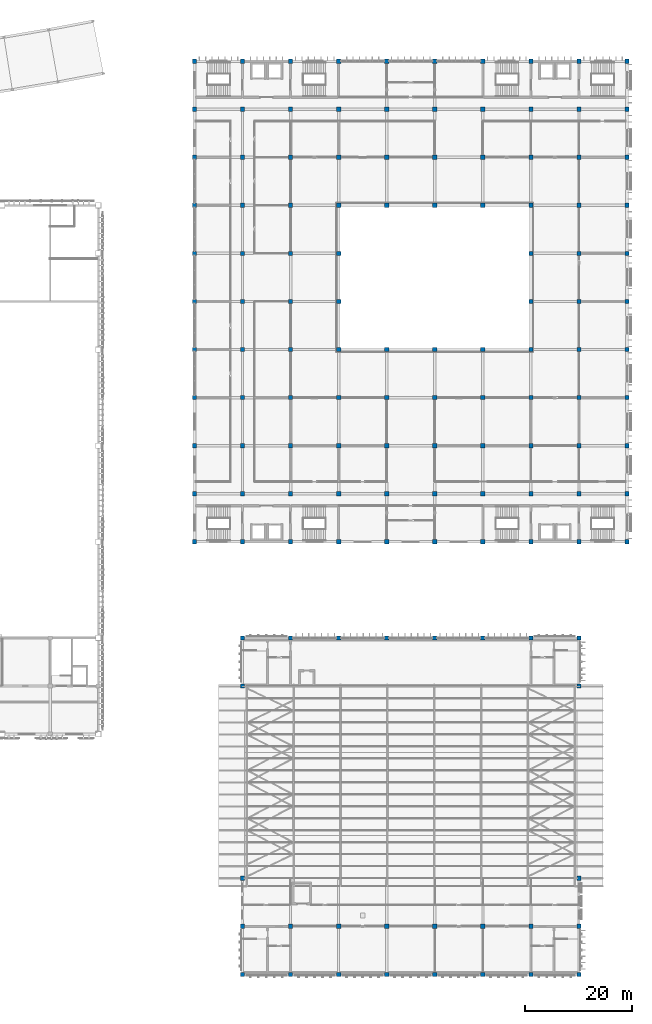
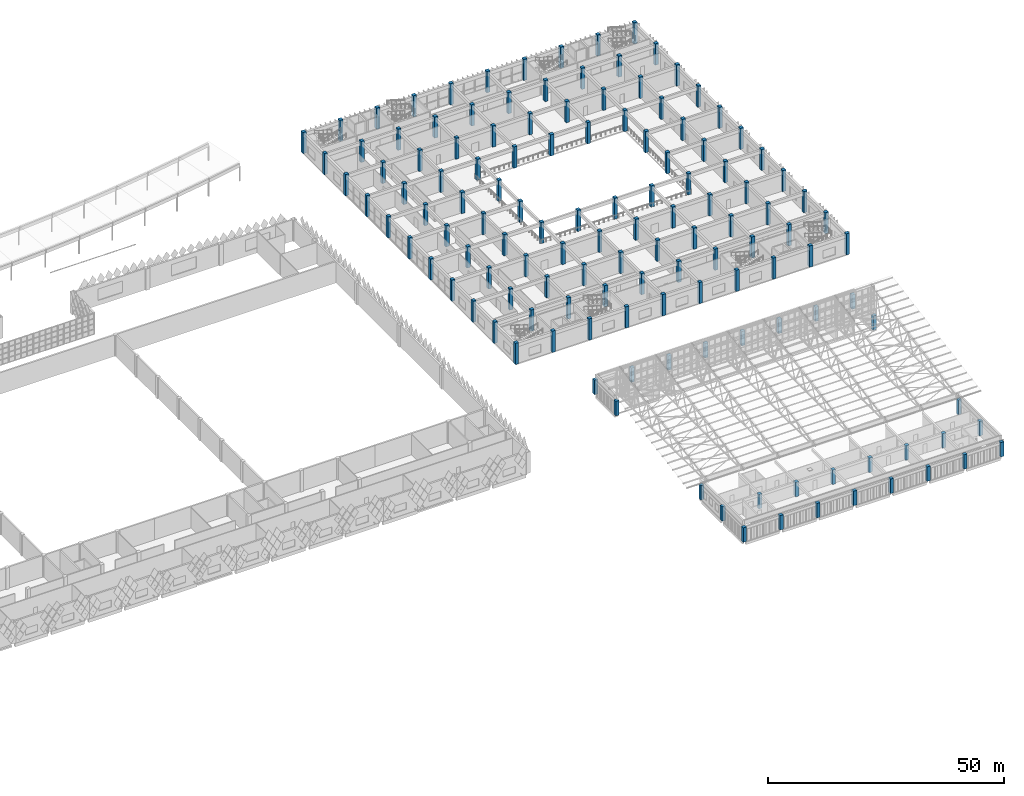
# One storey, part 15 of 185: 132 columns.
"""IFC4 building model written with IfcOpenShell, lengths in metres."""

from ifc_helpers import new_model, si_unit, direction, frame, origin, origin_2d, place, context, subcontext, project, spatial, rectangle, extrude, material, material_profile, profile_set, type_object, element, save


model = new_model("IFC4")

# Units and contexts
model_context = context("Model", 3, precision=1e-05, world=origin(), true_north=direction((0.0, 1.0)))
body_context = subcontext(model_context, "Body", "Model", "MODEL_VIEW")
ifc_project = project(units=[si_unit("LENGTHUNIT", "METRE"), si_unit("AREAUNIT", "SQUARE_METRE"), si_unit("VOLUMEUNIT", "CUBIC_METRE"), si_unit("PLANEANGLEUNIT", "RADIAN"), si_unit("MASSUNIT", "GRAM", prefix="KILO")], contexts=[model_context])

# Site, building, storey
site_placement = place(None, origin())
site = spatial("IfcSite", under=ifc_project, at=site_placement, CompositionType="ELEMENT")
building_placement = place(site_placement, origin())
building = spatial("IfcBuilding", under=site, at=building_placement, Name="Opaline Strait Convention Centre", CompositionType="ELEMENT")
storey_placement = place(building_placement, frame((0.0, 0.0, 6.0)))
storey = spatial("IfcBuildingStorey", under=building, at=storey_placement, Name="L01", CompositionType="ELEMENT", Elevation=6.0)

# Columns
ifc_material = material(Name="Concrete C40", Category="concrete")
ifc_material_profile = material_profile(ifc_material, rectangle(XDim=0.800048828125, YDim=0.800048828125, at=origin_2d()), Name="RC 800x800")
ifc_profile_set = profile_set([ifc_material_profile], Name="Concrete C40")
column_type = type_object("IfcColumnType", Name="RC column 800x800 C40", PredefinedType="COLUMN", material=ifc_profile_set)
for number, where, z_axis, x_axis, name in (
    (1, (288.0, 9.0, 0.0), (0.0, 0.0, 1.0), (1.0, 0.0, 0.0), "XC2 L01 at 33/B"),
    (2, (297.0, 9.0, 0.0), (0.0, 0.0, 1.0), (1.0, 0.0, 0.0), "XC2 L01 at 34/B"),
    (3, (306.0, 9.0, 0.0), (0.0, 0.0, 1.0), (1.0, 0.0, 0.0), "XC2 L01 at 35/B"),
    (4, (315.0, 9.0, 0.0), (0.0, 0.0, 1.0), (1.0, 0.0, 0.0), "XC2 L01 at 36/B"),
    (5, (324.0, 9.0, 0.0), (0.0, 0.0, 1.0), (1.0, 0.0, 0.0), "XC2 L01 at 37/B"),
    (6, (333.0, 9.0, 0.0), (0.0, 0.0, 1.0), (1.0, 0.0, 0.0), "XC2 L01 at 38/B"),
    (7, (342.0, 9.0, 0.0), (0.0, 0.0, 1.0), (1.0, 0.0, 0.0), "XC2 L01 at 39/B"),
    (8, (351.0, 9.0, 0.0), (0.0, 0.0, 1.0), (1.0, 0.0, 0.0), "XC2 L01 at 40/B"),
    (9, (288.0, 18.0, 0.0), (0.0, 0.0, 1.0), (1.0, 0.0, 0.0), "XC2 L01 at 33/C"),
    (10, (297.0, 18.0, 0.0), (0.0, 0.0, 1.0), (1.0, 0.0, 0.0), "XC2 L01 at 34/C"),
    (11, (306.0, 18.0, 0.0), (0.0, 0.0, 1.0), (1.0, 0.0, 0.0), "XC2 L01 at 35/C"),
    (12, (315.0, 18.0, 0.0), (0.0, 0.0, 1.0), (1.0, 0.0, 0.0), "XC2 L01 at 36/C"),
    (13, (324.0, 18.0, 0.0), (0.0, 0.0, 1.0), (1.0, 0.0, 0.0), "XC2 L01 at 37/C"),
    (14, (333.0, 18.0, 0.0), (0.0, 0.0, 1.0), (1.0, 0.0, 0.0), "XC2 L01 at 38/C"),
    (15, (342.0, 18.0, 0.0), (0.0, 0.0, 1.0), (1.0, 0.0, 0.0), "XC2 L01 at 39/C"),
    (16, (351.0, 18.0, 0.0), (0.0, 0.0, 1.0), (1.0, 0.0, 0.0), "XC2 L01 at 40/C"),
    (17, (288.0, 27.0, 0.0), (0.0, 0.0, 1.0), (1.0, 0.0, 0.0), "XC2 L01 at 33/D"),
    (18, (351.0, 27.0, 0.0), (0.0, 0.0, 1.0), (1.0, 0.0, 0.0), "XC2 L01 at 40/D"),
    (19, (288.0, 63.0, 0.0), (0.0, 0.0, 1.0), (1.0, 0.0, 0.0), "XC2 L01 at 33/H"),
    (20, (351.0, 63.0, 0.0), (0.0, 0.0, 1.0), (1.0, 0.0, 0.0), "XC2 L01 at 40/H"),
    (21, (288.0, 72.0, 0.0), (0.0, 0.0, 1.0), (1.0, 0.0, 0.0), "XC2 L01 at 33/J"),
    (22, (297.0, 72.0, 0.0), (0.0, 0.0, 1.0), (1.0, 0.0, 0.0), "XC2 L01 at 34/J"),
    (23, (306.0, 72.0, 0.0), (0.0, 0.0, 1.0), (1.0, 0.0, 0.0), "XC2 L01 at 35/J"),
    (24, (315.0, 72.0, 0.0), (0.0, 0.0, 1.0), (1.0, 0.0, 0.0), "XC2 L01 at 36/J"),
    (25, (324.0, 72.0, 0.0), (0.0, 0.0, 1.0), (1.0, 0.0, 0.0), "XC2 L01 at 37/J"),
    (26, (333.0, 72.0, 0.0), (0.0, 0.0, 1.0), (1.0, 0.0, 0.0), "XC2 L01 at 38/J"),
    (27, (342.0, 72.0, 0.0), (0.0, 0.0, 1.0), (1.0, 0.0, 0.0), "XC2 L01 at 39/J"),
    (28, (351.0, 72.0, 0.0), (0.0, 0.0, 1.0), (1.0, 0.0, 0.0), "XC2 L01 at 40/J"),
):
    element("IfcColumn", number, at=place(storey_placement, frame(where, z_axis=z_axis, x_axis=x_axis)), inside=storey, type_object=column_type, Name=name, PredefinedType="COLUMN", context=body_context, shape_type="SweptSolid", body=[
        extrude(rectangle(XDim=0.800048828125, YDim=0.800048828125, at=origin_2d()), origin(), (0.0, 0.0, 1.0), 3.75),
    ])
for number, where, z_axis, x_axis, name in (
    (29, (279.0, 90.0, 0.0), (0.0, 0.0, 1.0), (1.0, 0.0, 0.0), "XC2 L01 at 32/L"),
    (30, (279.0, 99.0, 0.0), (0.0, 0.0, 1.0), (1.0, 0.0, 0.0), "XC2 L01 at 32/M"),
    (31, (279.0, 108.0, 0.0), (0.0, 0.0, 1.0), (1.0, 0.0, 0.0), "XC2 L01 at 32/N"),
    (32, (279.0, 117.0, 0.0), (0.0, 0.0, 1.0), (1.0, 0.0, 0.0), "XC2 L01 at 32/P"),
    (33, (279.0, 126.0, 0.0), (0.0, 0.0, 1.0), (1.0, 0.0, 0.0), "XC2 L01 at 32/Q"),
    (34, (279.0, 135.0, 0.0), (0.0, 0.0, 1.0), (1.0, 0.0, 0.0), "XC2 L01 at 32/R"),
    (35, (279.0, 144.0, 0.0), (0.0, 0.0, 1.0), (1.0, 0.0, 0.0), "XC2 L01 at 32/S"),
    (36, (279.0, 153.0, 0.0), (0.0, 0.0, 1.0), (1.0, 0.0, 0.0), "XC2 L01 at 32/T"),
    (37, (279.0, 162.0, 0.0), (0.0, 0.0, 1.0), (1.0, 0.0, 0.0), "XC2 L01 at 32/U"),
    (38, (279.0, 171.0, 0.0), (0.0, 0.0, 1.0), (1.0, 0.0, 0.0), "XC2 L01 at 32/V"),
    (39, (279.0, 180.0, 0.0), (0.0, 0.0, 1.0), (1.0, 0.0, 0.0), "XC2 L01 at 32/W"),
    (40, (288.0, 90.0, 0.0), (0.0, 0.0, 1.0), (1.0, 0.0, 0.0), "XC2 L01 at 33/L"),
    (41, (288.0, 99.0, 0.0), (0.0, 0.0, 1.0), (1.0, 0.0, 0.0), "XC2 L01 at 33/M"),
    (42, (288.0, 108.0, 0.0), (0.0, 0.0, 1.0), (1.0, 0.0, 0.0), "XC2 L01 at 33/N"),
    (43, (288.0, 117.0, 0.0), (0.0, 0.0, 1.0), (1.0, 0.0, 0.0), "XC2 L01 at 33/P"),
    (44, (288.0, 126.0, 0.0), (0.0, 0.0, 1.0), (1.0, 0.0, 0.0), "XC2 L01 at 33/Q"),
    (45, (288.0, 135.0, 0.0), (0.0, 0.0, 1.0), (1.0, 0.0, 0.0), "XC2 L01 at 33/R"),
    (46, (288.0, 144.0, 0.0), (0.0, 0.0, 1.0), (1.0, 0.0, 0.0), "XC2 L01 at 33/S"),
    (47, (288.0, 153.0, 0.0), (0.0, 0.0, 1.0), (1.0, 0.0, 0.0), "XC2 L01 at 33/T"),
    (48, (288.0, 162.0, 0.0), (0.0, 0.0, 1.0), (1.0, 0.0, 0.0), "XC2 L01 at 33/U"),
    (49, (288.0, 171.0, 0.0), (0.0, 0.0, 1.0), (1.0, 0.0, 0.0), "XC2 L01 at 33/V"),
    (50, (288.0, 180.0, 0.0), (0.0, 0.0, 1.0), (1.0, 0.0, 0.0), "XC2 L01 at 33/W"),
    (51, (297.0, 90.0, 0.0), (0.0, 0.0, 1.0), (1.0, 0.0, 0.0), "XC2 L01 at 34/L"),
    (52, (297.0, 99.0, 0.0), (0.0, 0.0, 1.0), (1.0, 0.0, 0.0), "XC2 L01 at 34/M"),
    (53, (297.0, 108.0, 0.0), (0.0, 0.0, 1.0), (1.0, 0.0, 0.0), "XC2 L01 at 34/N"),
    (54, (297.0, 117.0, 0.0), (0.0, 0.0, 1.0), (1.0, 0.0, 0.0), "XC2 L01 at 34/P"),
    (55, (297.0, 126.0, 0.0), (0.0, 0.0, 1.0), (1.0, 0.0, 0.0), "XC2 L01 at 34/Q"),
    (56, (297.0, 135.0, 0.0), (0.0, 0.0, 1.0), (1.0, 0.0, 0.0), "XC2 L01 at 34/R"),
    (57, (297.0, 144.0, 0.0), (0.0, 0.0, 1.0), (1.0, 0.0, 0.0), "XC2 L01 at 34/S"),
    (58, (297.0, 153.0, 0.0), (0.0, 0.0, 1.0), (1.0, 0.0, 0.0), "XC2 L01 at 34/T"),
    (59, (297.0, 162.0, 0.0), (0.0, 0.0, 1.0), (1.0, 0.0, 0.0), "XC2 L01 at 34/U"),
    (60, (297.0, 171.0, 0.0), (0.0, 0.0, 1.0), (1.0, 0.0, 0.0), "XC2 L01 at 34/V"),
    (61, (297.0, 180.0, 0.0), (0.0, 0.0, 1.0), (1.0, 0.0, 0.0), "XC2 L01 at 34/W"),
    (62, (306.0, 90.0, 0.0), (0.0, 0.0, 1.0), (1.0, 0.0, 0.0), "XC2 L01 at 35/L"),
    (63, (306.0, 99.0, 0.0), (0.0, 0.0, 1.0), (1.0, 0.0, 0.0), "XC2 L01 at 35/M"),
    (64, (306.0, 108.0, 0.0), (0.0, 0.0, 1.0), (1.0, 0.0, 0.0), "XC2 L01 at 35/N"),
    (65, (306.0, 117.0, 0.0), (0.0, 0.0, 1.0), (1.0, 0.0, 0.0), "XC2 L01 at 35/P"),
    (66, (306.0, 126.0, 0.0), (0.0, 0.0, 1.0), (1.0, 0.0, 0.0), "XC2 L01 at 35/Q"),
    (67, (306.0, 135.0, 0.0), (0.0, 0.0, 1.0), (1.0, 0.0, 0.0), "XC2 L01 at 35/R"),
    (68, (306.0, 144.0, 0.0), (0.0, 0.0, 1.0), (1.0, 0.0, 0.0), "XC2 L01 at 35/S"),
    (69, (306.0, 153.0, 0.0), (0.0, 0.0, 1.0), (1.0, 0.0, 0.0), "XC2 L01 at 35/T"),
    (70, (306.0, 162.0, 0.0), (0.0, 0.0, 1.0), (1.0, 0.0, 0.0), "XC2 L01 at 35/U"),
    (71, (306.0, 171.0, 0.0), (0.0, 0.0, 1.0), (1.0, 0.0, 0.0), "XC2 L01 at 35/V"),
    (72, (306.0, 180.0, 0.0), (0.0, 0.0, 1.0), (1.0, 0.0, 0.0), "XC2 L01 at 35/W"),
    (73, (315.0, 90.0, 0.0), (0.0, 0.0, 1.0), (1.0, 0.0, 0.0), "XC2 L01 at 36/L"),
    (74, (315.0, 99.0, 0.0), (0.0, 0.0, 1.0), (1.0, 0.0, 0.0), "XC2 L01 at 36/M"),
    (75, (315.0, 108.0, 0.0), (0.0, 0.0, 1.0), (1.0, 0.0, 0.0), "XC2 L01 at 36/N"),
    (76, (315.0, 117.0, 0.0), (0.0, 0.0, 1.0), (1.0, 0.0, 0.0), "XC2 L01 at 36/P"),
    (77, (315.0, 126.0, 0.0), (0.0, 0.0, 1.0), (1.0, 0.0, 0.0), "XC2 L01 at 36/Q"),
    (78, (315.0, 153.0, 0.0), (0.0, 0.0, 1.0), (1.0, 0.0, 0.0), "XC2 L01 at 36/T"),
    (79, (315.0, 162.0, 0.0), (0.0, 0.0, 1.0), (1.0, 0.0, 0.0), "XC2 L01 at 36/U"),
    (80, (315.0, 171.0, 0.0), (0.0, 0.0, 1.0), (1.0, 0.0, 0.0), "XC2 L01 at 36/V"),
    (81, (315.0, 180.0, 0.0), (0.0, 0.0, 1.0), (1.0, 0.0, 0.0), "XC2 L01 at 36/W"),
    (82, (324.0, 90.0, 0.0), (0.0, 0.0, 1.0), (1.0, 0.0, 0.0), "XC2 L01 at 37/L"),
    (83, (324.0, 99.0, 0.0), (0.0, 0.0, 1.0), (1.0, 0.0, 0.0), "XC2 L01 at 37/M"),
    (84, (324.0, 108.0, 0.0), (0.0, 0.0, 1.0), (1.0, 0.0, 0.0), "XC2 L01 at 37/N"),
    (85, (324.0, 117.0, 0.0), (0.0, 0.0, 1.0), (1.0, 0.0, 0.0), "XC2 L01 at 37/P"),
    (86, (324.0, 126.0, 0.0), (0.0, 0.0, 1.0), (1.0, 0.0, 0.0), "XC2 L01 at 37/Q"),
    (87, (324.0, 153.0, 0.0), (0.0, 0.0, 1.0), (1.0, 0.0, 0.0), "XC2 L01 at 37/T"),
    (88, (324.0, 162.0, 0.0), (0.0, 0.0, 1.0), (1.0, 0.0, 0.0), "XC2 L01 at 37/U"),
    (89, (324.0, 171.0, 0.0), (0.0, 0.0, 1.0), (1.0, 0.0, 0.0), "XC2 L01 at 37/V"),
    (90, (324.0, 180.0, 0.0), (0.0, 0.0, 1.0), (1.0, 0.0, 0.0), "XC2 L01 at 37/W"),
    (91, (333.0, 90.0, 0.0), (0.0, 0.0, 1.0), (1.0, 0.0, 0.0), "XC2 L01 at 38/L"),
    (92, (333.0, 99.0, 0.0), (0.0, 0.0, 1.0), (1.0, 0.0, 0.0), "XC2 L01 at 38/M"),
    (93, (333.0, 108.0, 0.0), (0.0, 0.0, 1.0), (1.0, 0.0, 0.0), "XC2 L01 at 38/N"),
    (94, (333.0, 117.0, 0.0), (0.0, 0.0, 1.0), (1.0, 0.0, 0.0), "XC2 L01 at 38/P"),
    (95, (333.0, 126.0, 0.0), (0.0, 0.0, 1.0), (1.0, 0.0, 0.0), "XC2 L01 at 38/Q"),
    (96, (333.0, 153.0, 0.0), (0.0, 0.0, 1.0), (1.0, 0.0, 0.0), "XC2 L01 at 38/T"),
    (97, (333.0, 162.0, 0.0), (0.0, 0.0, 1.0), (1.0, 0.0, 0.0), "XC2 L01 at 38/U"),
    (98, (333.0, 171.0, 0.0), (0.0, 0.0, 1.0), (1.0, 0.0, 0.0), "XC2 L01 at 38/V"),
    (99, (333.0, 180.0, 0.0), (0.0, 0.0, 1.0), (1.0, 0.0, 0.0), "XC2 L01 at 38/W"),
    (100, (342.0, 90.0, 0.0), (0.0, 0.0, 1.0), (1.0, 0.0, 0.0), "XC2 L01 at 39/L"),
    (101, (342.0, 99.0, 0.0), (0.0, 0.0, 1.0), (1.0, 0.0, 0.0), "XC2 L01 at 39/M"),
    (102, (342.0, 108.0, 0.0), (0.0, 0.0, 1.0), (1.0, 0.0, 0.0), "XC2 L01 at 39/N"),
    (103, (342.0, 117.0, 0.0), (0.0, 0.0, 1.0), (1.0, 0.0, 0.0), "XC2 L01 at 39/P"),
    (104, (342.0, 126.0, 0.0), (0.0, 0.0, 1.0), (1.0, 0.0, 0.0), "XC2 L01 at 39/Q"),
    (105, (342.0, 135.0, 0.0), (0.0, 0.0, 1.0), (1.0, 0.0, 0.0), "XC2 L01 at 39/R"),
    (106, (342.0, 144.0, 0.0), (0.0, 0.0, 1.0), (1.0, 0.0, 0.0), "XC2 L01 at 39/S"),
    (107, (342.0, 153.0, 0.0), (0.0, 0.0, 1.0), (1.0, 0.0, 0.0), "XC2 L01 at 39/T"),
    (108, (342.0, 162.0, 0.0), (0.0, 0.0, 1.0), (1.0, 0.0, 0.0), "XC2 L01 at 39/U"),
    (109, (342.0, 171.0, 0.0), (0.0, 0.0, 1.0), (1.0, 0.0, 0.0), "XC2 L01 at 39/V"),
    (110, (342.0, 180.0, 0.0), (0.0, 0.0, 1.0), (1.0, 0.0, 0.0), "XC2 L01 at 39/W"),
    (111, (351.0, 90.0, 0.0), (0.0, 0.0, 1.0), (1.0, 0.0, 0.0), "XC2 L01 at 40/L"),
    (112, (351.0, 99.0, 0.0), (0.0, 0.0, 1.0), (1.0, 0.0, 0.0), "XC2 L01 at 40/M"),
    (113, (351.0, 108.0, 0.0), (0.0, 0.0, 1.0), (1.0, 0.0, 0.0), "XC2 L01 at 40/N"),
    (114, (351.0, 117.0, 0.0), (0.0, 0.0, 1.0), (1.0, 0.0, 0.0), "XC2 L01 at 40/P"),
    (115, (351.0, 126.0, 0.0), (0.0, 0.0, 1.0), (1.0, 0.0, 0.0), "XC2 L01 at 40/Q"),
    (116, (351.0, 135.0, 0.0), (0.0, 0.0, 1.0), (1.0, 0.0, 0.0), "XC2 L01 at 40/R"),
    (117, (351.0, 144.0, 0.0), (0.0, 0.0, 1.0), (1.0, 0.0, 0.0), "XC2 L01 at 40/S"),
    (118, (351.0, 153.0, 0.0), (0.0, 0.0, 1.0), (1.0, 0.0, 0.0), "XC2 L01 at 40/T"),
    (119, (351.0, 162.0, 0.0), (0.0, 0.0, 1.0), (1.0, 0.0, 0.0), "XC2 L01 at 40/U"),
    (120, (351.0, 171.0, 0.0), (0.0, 0.0, 1.0), (1.0, 0.0, 0.0), "XC2 L01 at 40/V"),
    (121, (351.0, 180.0, 0.0), (0.0, 0.0, 1.0), (1.0, 0.0, 0.0), "XC2 L01 at 40/W"),
    (122, (360.0, 90.0, 0.0), (0.0, 0.0, 1.0), (1.0, 0.0, 0.0), "XC2 L01 at 41/L"),
    (123, (360.0, 99.0, 0.0), (0.0, 0.0, 1.0), (1.0, 0.0, 0.0), "XC2 L01 at 41/M"),
    (124, (360.0, 108.0, 0.0), (0.0, 0.0, 1.0), (1.0, 0.0, 0.0), "XC2 L01 at 41/N"),
    (125, (360.0, 117.0, 0.0), (0.0, 0.0, 1.0), (1.0, 0.0, 0.0), "XC2 L01 at 41/P"),
    (126, (360.0, 126.0, 0.0), (0.0, 0.0, 1.0), (1.0, 0.0, 0.0), "XC2 L01 at 41/Q"),
    (127, (360.0, 135.0, 0.0), (0.0, 0.0, 1.0), (1.0, 0.0, 0.0), "XC2 L01 at 41/R"),
    (128, (360.0, 144.0, 0.0), (0.0, 0.0, 1.0), (1.0, 0.0, 0.0), "XC2 L01 at 41/S"),
    (129, (360.0, 153.0, 0.0), (0.0, 0.0, 1.0), (1.0, 0.0, 0.0), "XC2 L01 at 41/T"),
    (130, (360.0, 162.0, 0.0), (0.0, 0.0, 1.0), (1.0, 0.0, 0.0), "XC2 L01 at 41/U"),
    (131, (360.0, 171.0, 0.0), (0.0, 0.0, 1.0), (1.0, 0.0, 0.0), "XC2 L01 at 41/V"),
    (132, (360.0, 180.0, 0.0), (0.0, 0.0, 1.0), (1.0, 0.0, 0.0), "XC2 L01 at 41/W"),
):
    element("IfcColumn", number, at=place(storey_placement, frame(where, z_axis=z_axis, x_axis=x_axis)), inside=storey, type_object=column_type, Name=name, PredefinedType="COLUMN", context=body_context, shape_type="SweptSolid", body=[
        extrude(rectangle(XDim=0.800048828125, YDim=0.800048828125, at=origin_2d()), origin(), (0.0, 0.0, 1.0), 5.5),
    ])

save(model, "model.ifc")
